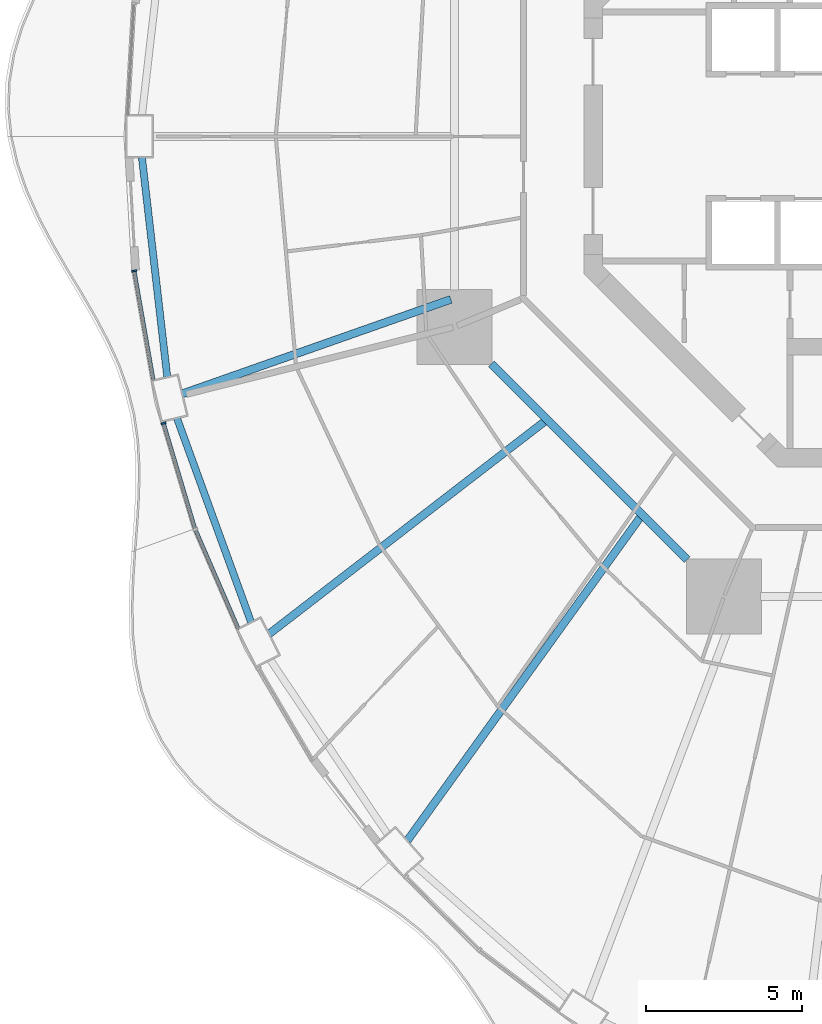
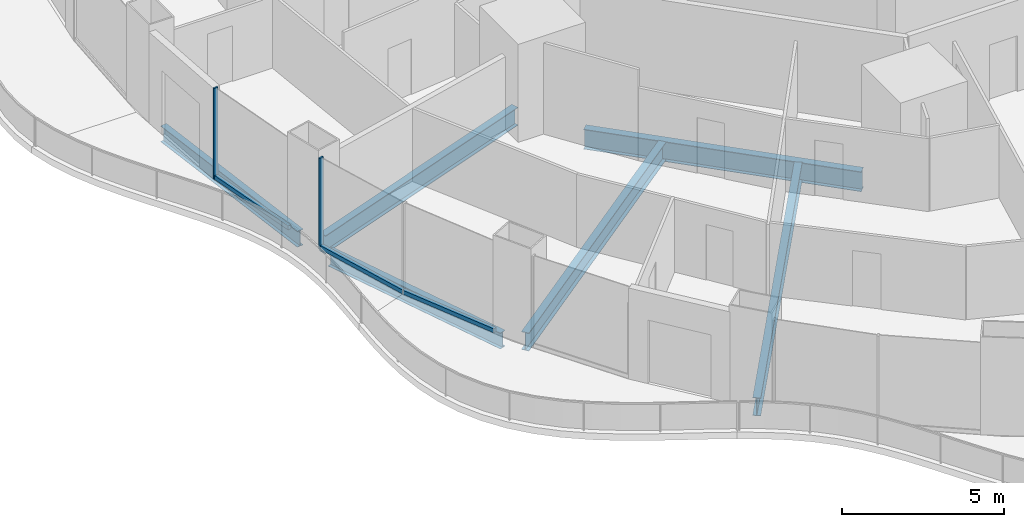
# One storey, part 3 of 23: 6 beams, 5 members, 3 elements without a shape of their own.
"""IFC4 building model written with IfcOpenShell, lengths in metres."""

import ifcopenshell
import ifcopenshell.guid

model = None  # the IFC model being written
_history = None  # IfcOwnerHistory: only IFC2X3 demands one
_inside = {}  # id of a spatial element -> (the spatial element, [elements in it])
_under = {}  # id of a project, library or spatial element -> (it, [spatial elements below it])
_declared = {}  # id of a project -> (the project, [libraries it declares])
_typed = {}  # id of a type object -> (the type object, [elements of that type])
_made_of = {}  # id of a material, layer set ... -> (it, [elements and type objects made of it])


def new_model(schema):
    """Start an empty IFC model of exactly this schema.

    Asked for "IFC4X3", IfcOpenShell would pick the latest addendum, in which some entities
    have other attributes; the version numbers below select the first issue.
    IFC2X3 requires an IfcOwnerHistory on every rooted entity: one is made here for all.
    """
    global model, _history
    if schema == "IFC4X3":
        model = ifcopenshell.file(schema_version=(4, 3, 0, 0))
    else:
        model = ifcopenshell.file(schema=schema)
    _inside.clear()
    _under.clear()
    _declared.clear()
    _typed.clear()
    _made_of.clear()
    _history = None
    if model.schema == "IFC2X3":
        org = make("IfcOrganization", Name="unknown")
        user = make(
            "IfcPersonAndOrganization",
            ThePerson=make("IfcPerson", FamilyName="unknown"),
            TheOrganization=org,
        )
        app = make(
            "IfcApplication",
            ApplicationDeveloper=org,
            Version="unknown",
            ApplicationFullName="unknown",
            ApplicationIdentifier="unknown",
        )
        _history = make(
            "IfcOwnerHistory",
            OwningUser=user,
            OwningApplication=app,
            ChangeAction="ADDED",
            CreationDate=0,
        )
    return model


def make(cls, **values):
    """One entity of the class cls with the attributes given. An attribute that is None is left unset."""
    return model.create_entity(
        cls, **{name: value for name, value in values.items() if value is not None}
    )


def rooted(cls, **values):
    """An entity with a GlobalId (a new one), such as an element, a storey or a relation."""
    return make(cls, GlobalId=ifcopenshell.guid.new(), OwnerHistory=_history, **values)


def si_unit(unit_type, name, prefix=None):
    """IfcSIUnit, for example si_unit("LENGTHUNIT", "METRE", prefix="MILLI")."""
    return make("IfcSIUnit", UnitType=unit_type, Prefix=prefix, Name=name)


def assignment(units):
    """IfcUnitAssignment: the units of a project."""
    return None if units is None else make("IfcUnitAssignment", Units=units)


def point(xyz):
    """IfcCartesianPoint."""
    return None if xyz is None else make("IfcCartesianPoint", Coordinates=xyz)


def direction(xyz):
    """IfcDirection."""
    return None if xyz is None else make("IfcDirection", DirectionRatios=xyz)


def frame(location, z_axis=None, x_axis=None):
    """IfcAxis2Placement3D, a coordinate frame: its origin and axes. An axis left out is left unset."""
    return make(
        "IfcAxis2Placement3D",
        Location=point(location),
        Axis=direction(z_axis),
        RefDirection=direction(x_axis),
    )


def frame_2d(location, x_axis=None):
    """IfcAxis2Placement2D, a coordinate frame in the plane: its origin and x axis."""
    return make(
        "IfcAxis2Placement2D", Location=point(location), RefDirection=direction(x_axis)
    )


def origin():
    """The frame at (0, 0, 0) with its axes left unset."""
    return frame((0.0, 0.0, 0.0))


def origin_2d():
    """The frame at (0, 0) in the plane with its x axis left unset."""
    return frame_2d((0.0, 0.0))


def place(relative_to, where):
    """IfcLocalPlacement: puts the frame where relative to a parent placement (None: the world)."""
    return make(
        "IfcLocalPlacement", PlacementRelTo=relative_to, RelativePlacement=where
    )


def context(
    kind, dimensions, precision=None, world=None, true_north=None, identifier=None
):
    """IfcGeometricRepresentationContext, for example the 3D "Model" context."""
    return make(
        "IfcGeometricRepresentationContext",
        ContextIdentifier=identifier,
        ContextType=kind,
        CoordinateSpaceDimension=dimensions,
        Precision=precision,
        WorldCoordinateSystem=world,
        TrueNorth=true_north,
    )


def subcontext(parent, identifier, kind, view, scale=None):
    """IfcGeometricRepresentationSubContext, for example "Body" below "Model"."""
    return make(
        "IfcGeometricRepresentationSubContext",
        ContextIdentifier=identifier,
        ContextType=kind,
        ParentContext=parent,
        TargetScale=scale,
        TargetView=view,
    )


def project(units=None, contexts=None):
    """IfcProject with its units and contexts."""
    return rooted(
        "IfcProject",
        Name="project",
        RepresentationContexts=contexts,
        UnitsInContext=assignment(units),
    )


def spatial(cls, under=None, at=None, **own):
    """A site, building, storey or space (cls), placed at a placement, below another one or the project."""
    s = rooted(cls, ObjectPlacement=at, **own)
    if under is not None:
        _under.setdefault(under.id(), (under, []))[1].append(s)
    return s


def profile(cls, at=None, kind="AREA", **sizes):
    """A parametric profile (cls). Its sizes go by their IFC names, for example OverallWidth=200.0."""
    return make(cls, ProfileType=kind, Position=at, **sizes)


def rectangle(**sizes):
    """IfcRectangleProfileDef."""
    return profile("IfcRectangleProfileDef", **sizes)


def i_section(**sizes):
    """IfcIShapeProfileDef."""
    return profile("IfcIShapeProfileDef", **sizes)


def extrude(swept, where, along, depth):
    """IfcExtrudedAreaSolid: the profile swept, set in the frame where, extruded along a direction by depth."""
    return make(
        "IfcExtrudedAreaSolid",
        SweptArea=swept,
        Position=where,
        ExtrudedDirection=direction(along),
        Depth=depth,
    )


def shape(context_of_items, identifier, shape_type, items):
    """IfcShapeRepresentation: the items that make up one representation, for example the "Body"."""
    return make(
        "IfcShapeRepresentation",
        ContextOfItems=context_of_items,
        RepresentationIdentifier=identifier,
        RepresentationType=shape_type,
        Items=items,
    )


def material(Name=None, Category=None):
    """IfcMaterial."""
    return make("IfcMaterial", Name=Name, Category=Category)


def layer(
    of_material, thickness, ventilated=None, Name=None, Category=None, Priority=None
):
    """IfcMaterialLayer: one layer of a wall or slab, of a material (None: an air gap)."""
    return make(
        "IfcMaterialLayer",
        Material=of_material,
        LayerThickness=thickness,
        IsVentilated=ventilated,
        Name=Name,
        Category=Category,
        Priority=Priority,
    )


def layer_set(layers, Name=None):
    """IfcMaterialLayerSet."""
    return make("IfcMaterialLayerSet", MaterialLayers=layers, LayerSetName=Name)


def material_profile(
    of_material, cross_section, Name=None, Category=None, Priority=None
):
    """IfcMaterialProfile: a cross section and its material."""
    return make(
        "IfcMaterialProfile",
        Name=Name,
        Material=of_material,
        Profile=cross_section,
        Priority=Priority,
        Category=Category,
    )


def profile_set(profiles, Name=None, composite=None):
    """IfcMaterialProfileSet."""
    return make(
        "IfcMaterialProfileSet",
        Name=Name,
        MaterialProfiles=profiles,
        CompositeProfile=composite,
    )


def made_of(thing, what):
    """Note that an element or type object is made of a material, layer set ...; save() writes the relation."""
    if what is not None:
        _made_of.setdefault(what.id(), (what, []))[1].append(thing)
    return thing


def type_object(cls, material=None, **own):
    """A type object (cls), such as IfcWallType, which elements share."""
    return made_of(rooted(cls, **own), material)


def element(
    cls,
    number,
    at=None,
    inside=None,
    cuts=None,
    type_object=None,
    material=None,
    context=None,
    identifier="Body",
    shape_type=None,
    held_by="IfcProductDefinitionShape",
    body=None,
    shapes=None,
    **own,
):
    """One element of the class cls, such as IfcWall. Its Tag is "e" and its number.

    at: its placement. inside: the storey or other place that contains it. cuts: it is an
    opening in that element (IfcRelVoidsElement). A single representation is given by context,
    identifier, shape_type and body (its items); several are given by shapes. held_by: the class
    of the entity that holds the representations. save() writes the other relations.
    """
    e = rooted(cls, Tag="e%d" % number, ObjectPlacement=at, **own)
    if body is not None:
        shapes = [shape(context, identifier, shape_type, body)]
    if shapes is not None:
        e.Representation = make(held_by, Representations=shapes)
    if inside is not None:
        _inside.setdefault(inside.id(), (inside, []))[1].append(e)
    if cuts is not None:
        rooted(
            "IfcRelVoidsElement", RelatingBuildingElement=cuts, RelatedOpeningElement=e
        )
    if type_object is not None:
        _typed.setdefault(type_object.id(), (type_object, []))[1].append(e)
    return made_of(e, material)


def aggregate(whole, parts):
    """IfcRelAggregates: a whole, such as a stair, and the parts it consists of."""
    return rooted("IfcRelAggregates", RelatingObject=whole, RelatedObjects=parts)


def save(model, path):
    """Write the relations noted so far, then the file.

    IfcRelAggregates (storeys below a building ...), IfcRelContainedInSpatialStructure (elements
    in a storey), IfcRelDefinesByType, IfcRelAssociatesMaterial and IfcRelDeclares: one each for
    every whole, place, type object, material and project.
    """
    for whole, parts in _under.values():
        aggregate(whole, parts)
    for where, things in _inside.values():
        rooted(
            "IfcRelContainedInSpatialStructure",
            RelatedElements=things,
            RelatingStructure=where,
        )
    for kind, things in _typed.values():
        rooted("IfcRelDefinesByType", RelatedObjects=things, RelatingType=kind)
    for what, things in _made_of.values():
        rooted("IfcRelAssociatesMaterial", RelatedObjects=things, RelatingMaterial=what)
    for by, libraries in _declared.values():
        rooted("IfcRelDeclares", RelatingContext=by, RelatedDefinitions=libraries)
    model.write(path)


model = new_model("IFC4")

# Units and contexts
model_context = context("Model", 3, precision=1e-05, world=origin(), true_north=direction((0.0, 1.0)))
body_context = subcontext(model_context, "Body", "Model", "MODEL_VIEW")
ifc_project = project(units=[si_unit("LENGTHUNIT", "METRE"), si_unit("AREAUNIT", "SQUARE_METRE"), si_unit("VOLUMEUNIT", "CUBIC_METRE"), si_unit("PLANEANGLEUNIT", "RADIAN"), si_unit("MASSUNIT", "GRAM", prefix="KILO")], contexts=[model_context])

# Site, building, storey
site_placement = place(None, origin())
site = spatial("IfcSite", under=ifc_project, at=site_placement, CompositionType="ELEMENT")
building_placement = place(site_placement, origin())
building = spatial("IfcBuilding", under=site, at=building_placement, Name="Nagisa Residences", CompositionType="ELEMENT")
storey_placement = place(building_placement, frame((0.0, 0.0, 56.60009765625)))
storey = spatial("IfcBuildingStorey", under=building, at=storey_placement, Name="L13", CompositionType="ELEMENT", Elevation=56.60009765625)

# Curtain wall, member
ifc_material_1 = material(Name="Concrete-coloured aluminium curtain wall system", Category="concrete")
ifc_layer = layer(ifc_material_1, 0.159912109375)
ifc_layer_set = layer_set([ifc_layer], Name="CW1 CURTAIN WALL")
curtain_wall_type = type_object("IfcCurtainWallType", Name="CW1 CURTAIN WALL", PredefinedType="NOTDEFINED", material=ifc_layer_set)
curtain_wall_1_placement = place(storey_placement, origin())
curtain_wall_1 = element("IfcCurtainWall", 1, at=curtain_wall_1_placement, inside=storey, type_object=curtain_wall_type, Name="cw:CW1:L13:25", PredefinedType="NOTDEFINED")
ifc_material_2 = material(Name="Concrete-coloured aluminium", Category="concrete")
ifc_material_profile_1 = material_profile(ifc_material_2, rectangle(XDim=0.159912109375, YDim=0.06005859375, at=origin_2d()), Name="CW1 MULLION 160x60")
ifc_profile_set_1 = profile_set([ifc_material_profile_1], Name="Concrete-coloured aluminium")
member_type_1 = type_object("IfcMemberType", Name="CW1 MULLION 160x60", PredefinedType="MULLION", material=ifc_profile_set_1)
member_1_placement = place(storey_placement, frame((-25.06787109375, -4.3232421875, 0.0), z_axis=(0.0, 0.0, 1.0), x_axis=(0.985063604377, 0.172190868898, 0.0)))
member_1 = element("IfcMember", 2, at=member_1_placement, type_object=member_type_1, Name="CW1 mullion", PredefinedType="MULLION", context=body_context, shape_type="SweptSolid", body=[
    extrude(rectangle(XDim=0.159912109375, YDim=0.06005859375, at=origin_2d()), origin(), (0.0, 0.0, 1.0), 3.43994140625),
])

curtain_wall_2_placement = place(storey_placement, origin())
curtain_wall_2 = element("IfcCurtainWall", 3, at=curtain_wall_2_placement, inside=storey, type_object=curtain_wall_type, Name="cw:CW1:L13:26", PredefinedType="NOTDEFINED")
member_2_placement = place(storey_placement, frame((-24.12646484375, -9.2177734375, 0.0), z_axis=(0.0, 0.0, 1.0), x_axis=(0.958271310082, 0.285860274038, 0.0)))
member_2 = element("IfcMember", 4, at=member_2_placement, type_object=member_type_1, Name="CW1 mullion", PredefinedType="MULLION", context=body_context, shape_type="SweptSolid", body=[
    extrude(rectangle(XDim=0.159912109375, YDim=0.06005859375, at=origin_2d()), origin(), (0.0, 0.0, 1.0), 3.43994140625),
])

# Member
ifc_material_3 = material(Name="Concrete-coloured aluminium", Category="concrete")
ifc_material_profile_2 = material_profile(ifc_material_3, rectangle(XDim=0.1201171875, YDim=0.14990234375, at=origin_2d()), Name="CW1 TRANSOM 120x150")
ifc_profile_set_2 = profile_set([ifc_material_profile_2], Name="Concrete-coloured aluminium")
member_type_2 = type_object("IfcMemberType", Name="CW1 TRANSOM 120x150", PredefinedType="USERDEFINED", material=ifc_profile_set_2)
member_3_placement = place(storey_placement, frame((-25.072998046875, -4.293701171875, 0.074951171875), z_axis=(0.172163041068, -0.985068468326, 0.0), x_axis=(0.985068468326, 0.172163041068, 0.0)))
member_3 = element("IfcMember", 5, at=member_3_placement, type_object=member_type_2, Name="CW1 transom", ObjectType="TRANSOM", PredefinedType="USERDEFINED", context=body_context, shape_type="SweptSolid", body=[
    extrude(rectangle(XDim=0.1201171875, YDim=0.14990234375, at=origin_2d()), origin(), (0.0, 0.0, 1.0), 3.59765625),
])

aggregate(curtain_wall_1, [member_1, member_3])

member_4_placement = place(storey_placement, frame((-24.135009765625, -9.18896484375, 0.074951171875), z_axis=(0.285808431121, -0.958286773727, 0.0), x_axis=(0.958286773727, 0.285808431121, 0.0)))
member_4 = element("IfcMember", 6, at=member_4_placement, type_object=member_type_2, Name="CW1 transom", ObjectType="TRANSOM", PredefinedType="USERDEFINED", context=body_context, shape_type="SweptSolid", body=[
    extrude(rectangle(XDim=0.1201171875, YDim=0.14990234375, at=origin_2d()), origin(), (0.0, 0.0, 1.0), 3.5654296875),
])

aggregate(curtain_wall_2, [member_2, member_4])

# Curtain wall, member
curtain_wall_3_placement = place(storey_placement, origin())
curtain_wall_3 = element("IfcCurtainWall", 7, at=curtain_wall_3_placement, inside=storey, type_object=curtain_wall_type, Name="cw:CW1:L13:27", PredefinedType="NOTDEFINED")
member_5_placement = place(storey_placement, frame((-23.119140625, -12.5966796875, 0.074951171875), z_axis=(0.397624958345, -0.917548032803, 0.0), x_axis=(0.917548032803, 0.397624958345, 0.0)))
member_5 = element("IfcMember", 8, at=member_5_placement, type_object=member_type_2, Name="CW1 transom", ObjectType="TRANSOM", PredefinedType="USERDEFINED", context=body_context, shape_type="SweptSolid", body=[
    extrude(rectangle(XDim=0.1201171875, YDim=0.14990234375, at=origin_2d()), origin(), (0.0, 0.0, 1.0), 3.51953125),
])
aggregate(curtain_wall_3, [member_5])

# Beams
ifc_material_4 = material(Name="Steel ASTM A572 Gr 50", Category="steel")
ifc_material_profile_3 = material_profile(ifc_material_4, i_section(OverallWidth=0.264892578125, OverallDepth=0.7529296875, WebThickness=0.01318359375, FlangeThickness=0.01708984375, at=origin_2d()), Name="W760x147")
ifc_profile_set_3 = profile_set([ifc_material_profile_3], Name="Steel ASTM A572 Gr 50")
beam_type_1 = type_object("IfcBeamType", Name="Inner ring beam W760x147", PredefinedType="BEAM", material=ifc_profile_set_3)
beam_1_placement = place(storey_placement, frame((-13.59619140625, -7.308837890625, -0.63671875), z_axis=(0.707106781187, -0.707106781187, 0.0), x_axis=(0.707106781187, 0.707106781187, 0.0)))
element("IfcBeam", 9, at=beam_1_placement, inside=storey, type_object=beam_type_1, Name="beam:L13:ib5", PredefinedType="BEAM", context=body_context, shape_type="SweptSolid", body=[
    extrude(i_section(OverallWidth=0.264892578125, OverallDepth=0.7529296875, WebThickness=0.01318359375, FlangeThickness=0.01708984375, at=origin_2d()), origin(), (0.0, 0.0, 1.0), 8.8916015625),
])
ifc_material_5 = material(Name="Steel ASTM A572 Gr 50", Category="steel")
ifc_material_profile_4 = material_profile(ifc_material_5, i_section(OverallWidth=0.22802734375, OverallDepth=0.60302734375, WebThickness=0.010498046875, FlangeThickness=0.014892578125, at=origin_2d()), Name="W610x101")
ifc_profile_set_4 = profile_set([ifc_material_profile_4], Name="Steel ASTM A572 Gr 50")
beam_type_2 = type_object("IfcBeamType", Name="Perimeter ring beam W610x101", PredefinedType="BEAM", material=ifc_profile_set_4)
beam_2_placement = place(storey_placement, frame((-24.821533203125, -0.68017578125, -0.5615234375), z_axis=(0.114707660057, -0.993399291687, 0.0), x_axis=(0.993399291687, 0.114707660057, 0.0)))
element("IfcBeam", 10, at=beam_2_placement, inside=storey, type_object=beam_type_2, Name="beam:L13:pb13", PredefinedType="BEAM", context=body_context, shape_type="SweptSolid", body=[
    extrude(i_section(OverallWidth=0.22802734375, OverallDepth=0.60302734375, WebThickness=0.010498046875, FlangeThickness=0.014892578125, at=origin_2d()), origin(), (0.0, 0.0, 1.0), 7.09814453125),
])
beam_3_placement = place(storey_placement, frame((-23.695068359375, -9.055419921875, -0.5615234375), z_axis=(0.341411143183, -0.939914055279, 0.0), x_axis=(0.939914055279, 0.341411143183, 0.0)))
element("IfcBeam", 11, at=beam_3_placement, inside=storey, type_object=beam_type_2, Name="beam:L13:pb14", PredefinedType="BEAM", context=body_context, shape_type="SweptSolid", body=[
    extrude(i_section(OverallWidth=0.22802734375, OverallDepth=0.60302734375, WebThickness=0.010498046875, FlangeThickness=0.014892578125, at=origin_2d()), origin(), (0.0, 0.0, 1.0), 6.96923828125),
])
ifc_material_6 = material(Name="Steel ASTM A572 Gr 50", Category="steel")
ifc_material_profile_5 = material_profile(ifc_material_6, i_section(OverallWidth=0.25390625, OverallDepth=0.68408203125, WebThickness=0.012451171875, FlangeThickness=0.018798828125, at=origin_2d()), Name="W690x140")
ifc_profile_set_5 = profile_set([ifc_material_profile_5], Name="Steel ASTM A572 Gr 50")
beam_type_3 = type_object("IfcBeamType", Name="Radial beam W690x140", PredefinedType="BEAM", material=ifc_profile_set_5)
beam_4_placement = place(storey_placement, frame((-23.520751953125, -8.26806640625, -0.60205078125), z_axis=(0.943414535235, 0.331615763659, 0.0), x_axis=(-0.331615763659, 0.943414535235, 0.0)))
element("IfcBeam", 12, at=beam_4_placement, inside=storey, type_object=beam_type_3, Name="beam:L13:rb14", PredefinedType="BEAM", context=body_context, shape_type="SweptSolid", body=[
    extrude(i_section(OverallWidth=0.25390625, OverallDepth=0.68408203125, WebThickness=0.012451171875, FlangeThickness=0.018798828125, at=origin_2d()), origin(), (0.0, 0.0, 1.0), 9.142333984375),
])
beam_5_placement = place(storey_placement, frame((-20.73486328125, -15.982666015625, -0.60205078125), z_axis=(0.792016146736, 0.610500141941, 0.0), x_axis=(-0.610500141941, 0.792016146736, 0.0)))
element("IfcBeam", 13, at=beam_5_placement, inside=storey, type_object=beam_type_3, Name="beam:L13:rb15", PredefinedType="BEAM", context=body_context, shape_type="SweptSolid", body=[
    extrude(i_section(OverallWidth=0.25390625, OverallDepth=0.68408203125, WebThickness=0.012451171875, FlangeThickness=0.018798828125, at=origin_2d()), origin(), (0.0, 0.0, 1.0), 11.160888671875),
])
beam_6_placement = place(storey_placement, frame((-16.29443359375, -22.62255859375, -0.60205078125), z_axis=(0.58445507622, 0.811426068031, 0.0), x_axis=(-0.811426068031, 0.58445507622, 0.0)))
element("IfcBeam", 14, at=beam_6_placement, inside=storey, type_object=beam_type_3, Name="beam:L13:rb16", PredefinedType="BEAM", context=body_context, shape_type="SweptSolid", body=[
    extrude(i_section(OverallWidth=0.25390625, OverallDepth=0.68408203125, WebThickness=0.012451171875, FlangeThickness=0.018798828125, at=origin_2d()), origin(), (0.0, 0.0, 1.0), 12.78955078125),
])

save(model, "model.ifc")
